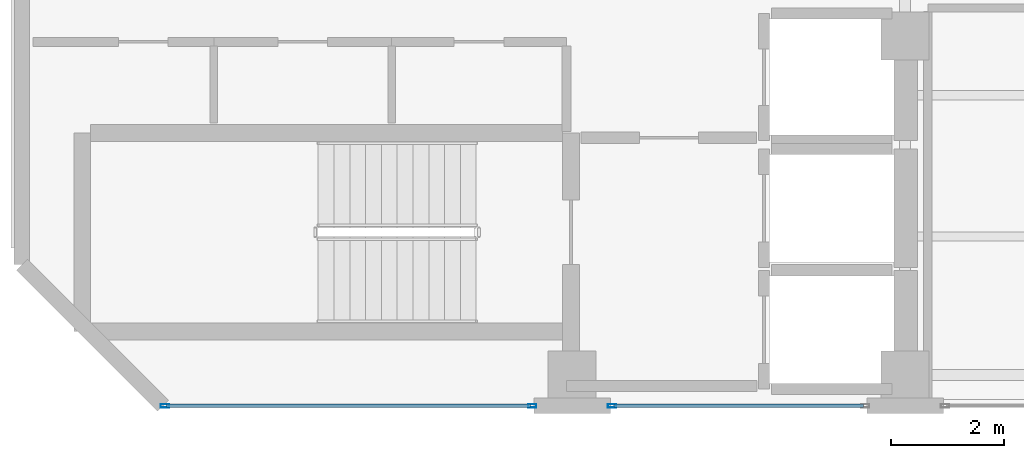
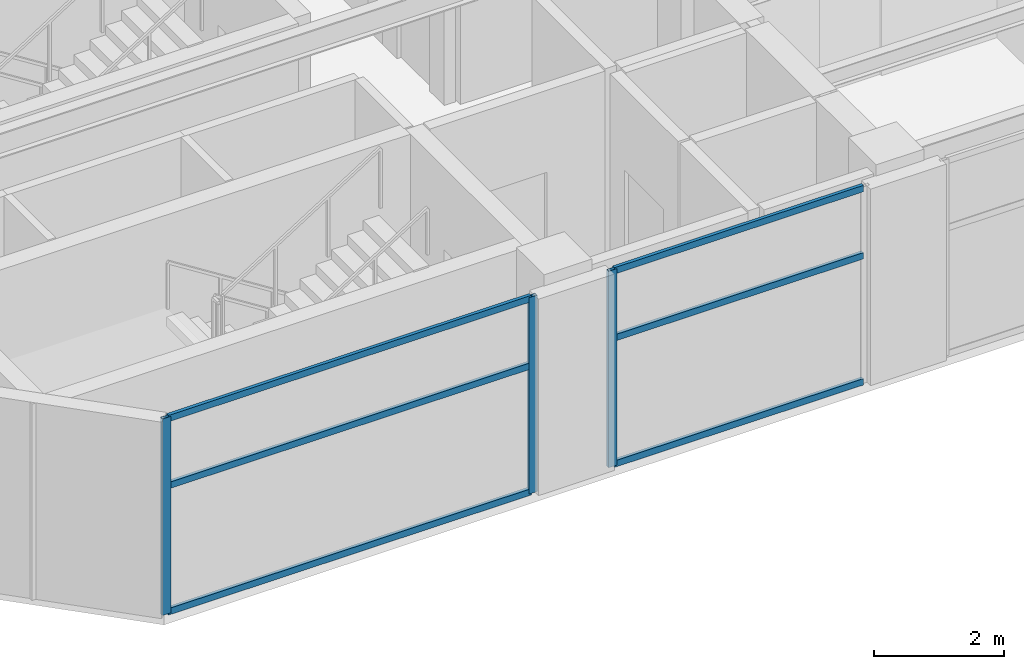
# One storey, part 2 of 15: 9 members, 2 elements without a shape of their own.
"""IFC4 building model written with IfcOpenShell, lengths in metres."""

from ifc_helpers import new_model, si_unit, direction, frame, origin, origin_2d, place, context, subcontext, project, spatial, hollow_rectangle, extrude, material, layer, layer_set, material_profile, profile_set, type_object, element, aggregate, save


model = new_model("IFC4")

# Units and contexts
model_context = context("Model", 3, precision=1e-05, world=origin(), true_north=direction((0.0, 1.0)))
body_context = subcontext(model_context, "Body", "Model", "MODEL_VIEW")
ifc_project = project(units=[si_unit("LENGTHUNIT", "METRE"), si_unit("AREAUNIT", "SQUARE_METRE"), si_unit("VOLUMEUNIT", "CUBIC_METRE"), si_unit("PLANEANGLEUNIT", "RADIAN"), si_unit("MASSUNIT", "GRAM", prefix="KILO")], contexts=[model_context])

# Site, building, storey
site_placement = place(None, origin())
site = spatial("IfcSite", under=ifc_project, at=site_placement, CompositionType="ELEMENT")
building_placement = place(site_placement, origin())
building = spatial("IfcBuilding", under=site, at=building_placement, Name="Mawjaban Terraces University", CompositionType="ELEMENT")
storey_placement = place(building_placement, frame((0.0, 0.0, 279.39990234375)))
storey = spatial("IfcBuildingStorey", under=building, at=storey_placement, Name="L68", CompositionType="ELEMENT", Elevation=279.39990234375)

# Curtain wall, members
ifc_material_1 = material(Name="Anodised aluminium 6063-T6 and solar-control low-E glass", Category="aluminium")
ifc_layer = layer(ifc_material_1, 0.159912109375)
ifc_layer_set = layer_set([ifc_layer], Name="Anodised aluminium 6063-T6 and solar-control low-E glass")
curtain_wall_type = type_object("IfcCurtainWallType", Name="CWSystem_03_NorthWing", PredefinedType="NOTDEFINED", material=ifc_layer_set)
curtain_wall_1_placement = place(storey_placement, origin())
curtain_wall_1 = element("IfcCurtainWall", 1, at=curtain_wall_1_placement, inside=storey, type_object=curtain_wall_type, Name="L68 Curtain Wall CW-03 Run 1.1", PredefinedType="NOTDEFINED")
ifc_material_2 = material(Name="Anodised aluminium 6063-T6", Category="aluminium")
ifc_material_profile_1 = material_profile(ifc_material_2, hollow_rectangle(XDim=0.06005859375, YDim=0.14990234375, WallThickness=0.00390625, at=origin_2d()), Name="ALU150X60X4")
ifc_profile_set_1 = profile_set([ifc_material_profile_1], Name="Anodised aluminium 6063-T6")
member_type_1 = type_object("IfcMemberType", Name="Mullion_CW-03", PredefinedType="MULLION", material=ifc_profile_set_1)
member_1_placement = place(storey_placement, frame((24.532470703125, 0.0, 0.0), z_axis=(0.0, 0.0, 1.0), x_axis=(0.0, 1.0, 0.0)))
member_1 = element("IfcMember", 2, at=member_1_placement, type_object=member_type_1, Name="CW-03 mullion 1", PredefinedType="MULLION", context=body_context, shape_type="SweptSolid", body=[
    extrude(hollow_rectangle(XDim=0.06005859375, YDim=0.14990234375, WallThickness=0.00390625, at=origin_2d()), origin(), (0.0, 0.0, 1.0), 3.690185546875),
])
member_2_placement = place(storey_placement, frame((31.04248046875, 0.0, 0.0), z_axis=(0.0, 0.0, 1.0), x_axis=(0.0, 1.0, 0.0)))
member_2 = element("IfcMember", 3, at=member_2_placement, type_object=member_type_1, Name="CW-03 mullion 2", PredefinedType="MULLION", context=body_context, shape_type="SweptSolid", body=[
    extrude(hollow_rectangle(XDim=0.06005859375, YDim=0.14990234375, WallThickness=0.00390625, at=origin_2d()), origin(), (0.0, 0.0, 1.0), 3.690185546875),
])

# Curtain wall, member
curtain_wall_2_placement = place(storey_placement, origin())
curtain_wall_2 = element("IfcCurtainWall", 4, at=curtain_wall_2_placement, inside=storey, type_object=curtain_wall_type, Name="L68 Curtain Wall CW-03 Run 1.2", PredefinedType="NOTDEFINED")
member_3_placement = place(storey_placement, frame((32.45751953125, 0.0, 0.0), z_axis=(0.0, 0.0, 1.0), x_axis=(0.0, 1.0, 0.0)))
member_3 = element("IfcMember", 5, at=member_3_placement, type_object=member_type_1, Name="CW-03 mullion 1", PredefinedType="MULLION", context=body_context, shape_type="SweptSolid", body=[
    extrude(hollow_rectangle(XDim=0.06005859375, YDim=0.14990234375, WallThickness=0.00390625, at=origin_2d()), origin(), (0.0, 0.0, 1.0), 3.690185546875),
])

# Member
ifc_material_profile_2 = material_profile(ifc_material_2, hollow_rectangle(XDim=0.06005859375, YDim=0.1201171875, WallThickness=0.00341796875, at=origin_2d()), Name="ALU120X60X3.5")
ifc_profile_set_2 = profile_set([ifc_material_profile_2], Name="Anodised aluminium 6063-T6")
member_type_2 = type_object("IfcMemberType", Name="Transom_CW-03", PredefinedType="NOTDEFINED", material=ifc_profile_set_2)
member_4_placement = place(storey_placement, frame((24.56494140625, 0.0, 0.030029296875), z_axis=(1.0, 0.0, 0.0), x_axis=(0.0, 1.0, 0.0)))
member_4 = element("IfcMember", 6, at=member_4_placement, type_object=member_type_2, Name="CW-03 transom 1.1", ObjectType="TRANSOM", PredefinedType="USERDEFINED", context=body_context, shape_type="SweptSolid", body=[
    extrude(hollow_rectangle(XDim=0.06005859375, YDim=0.1201171875, WallThickness=0.00341796875, at=origin_2d()), origin(), (0.0, 0.0, 1.0), 6.445068359375),
])

member_5_placement = place(storey_placement, frame((24.56494140625, 0.0, 2.398193359375), z_axis=(1.0, 0.0, 0.0), x_axis=(0.0, 1.0, 0.0)))
member_5 = element("IfcMember", 7, at=member_5_placement, type_object=member_type_2, Name="CW-03 transom 1.2", ObjectType="TRANSOM", PredefinedType="USERDEFINED", context=body_context, shape_type="SweptSolid", body=[
    extrude(hollow_rectangle(XDim=0.06005859375, YDim=0.1201171875, WallThickness=0.00341796875, at=origin_2d()), origin(), (0.0, 0.0, 1.0), 6.445068359375),
])

member_6_placement = place(storey_placement, frame((24.56494140625, 0.0, 3.66015625), z_axis=(1.0, 0.0, 0.0), x_axis=(0.0, 1.0, 0.0)))
member_6 = element("IfcMember", 8, at=member_6_placement, type_object=member_type_2, Name="CW-03 transom 1.3", ObjectType="TRANSOM", PredefinedType="USERDEFINED", context=body_context, shape_type="SweptSolid", body=[
    extrude(hollow_rectangle(XDim=0.06005859375, YDim=0.1201171875, WallThickness=0.00341796875, at=origin_2d()), origin(), (0.0, 0.0, 1.0), 6.445068359375),
])

aggregate(curtain_wall_1, [member_1, member_2, member_4, member_5, member_6])

member_7_placement = place(storey_placement, frame((32.489990234375, 0.0, 0.030029296875), z_axis=(1.0, 0.0, 0.0), x_axis=(0.0, 1.0, 0.0)))
member_7 = element("IfcMember", 9, at=member_7_placement, type_object=member_type_2, Name="CW-03 transom 1.1", ObjectType="TRANSOM", PredefinedType="USERDEFINED", context=body_context, shape_type="SweptSolid", body=[
    extrude(hollow_rectangle(XDim=0.06005859375, YDim=0.1201171875, WallThickness=0.00341796875, at=origin_2d()), origin(), (0.0, 0.0, 1.0), 4.419921875),
])

member_8_placement = place(storey_placement, frame((32.489990234375, 0.0, 2.398193359375), z_axis=(1.0, 0.0, 0.0), x_axis=(0.0, 1.0, 0.0)))
member_8 = element("IfcMember", 10, at=member_8_placement, type_object=member_type_2, Name="CW-03 transom 1.2", ObjectType="TRANSOM", PredefinedType="USERDEFINED", context=body_context, shape_type="SweptSolid", body=[
    extrude(hollow_rectangle(XDim=0.06005859375, YDim=0.1201171875, WallThickness=0.00341796875, at=origin_2d()), origin(), (0.0, 0.0, 1.0), 4.419921875),
])

member_9_placement = place(storey_placement, frame((32.489990234375, 0.0, 3.66015625), z_axis=(1.0, 0.0, 0.0), x_axis=(0.0, 1.0, 0.0)))
member_9 = element("IfcMember", 11, at=member_9_placement, type_object=member_type_2, Name="CW-03 transom 1.3", ObjectType="TRANSOM", PredefinedType="USERDEFINED", context=body_context, shape_type="SweptSolid", body=[
    extrude(hollow_rectangle(XDim=0.06005859375, YDim=0.1201171875, WallThickness=0.00341796875, at=origin_2d()), origin(), (0.0, 0.0, 1.0), 4.419921875),
])

aggregate(curtain_wall_2, [member_3, member_7, member_8, member_9])

save(model, "model.ifc")
